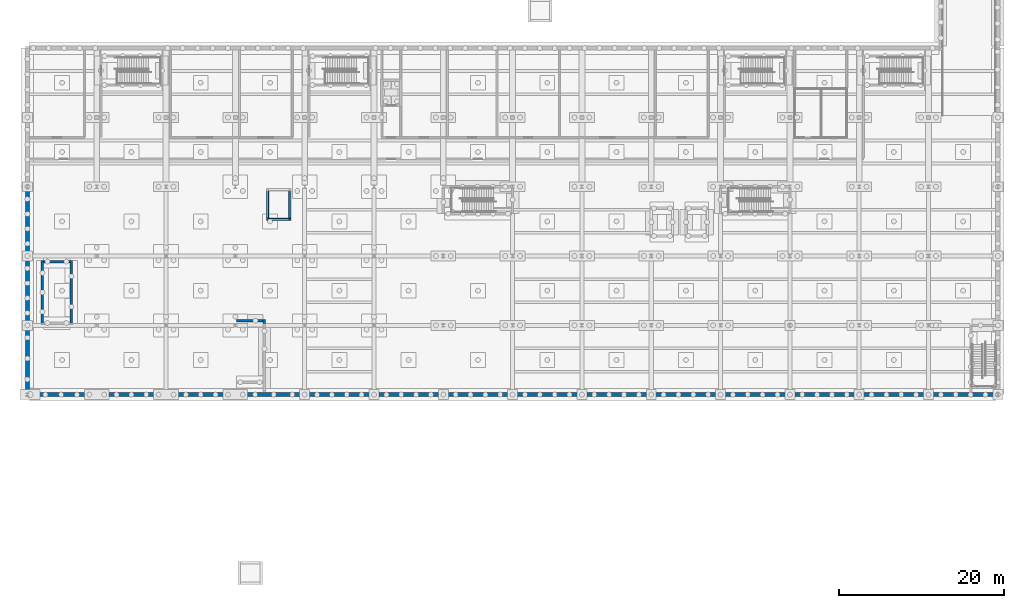
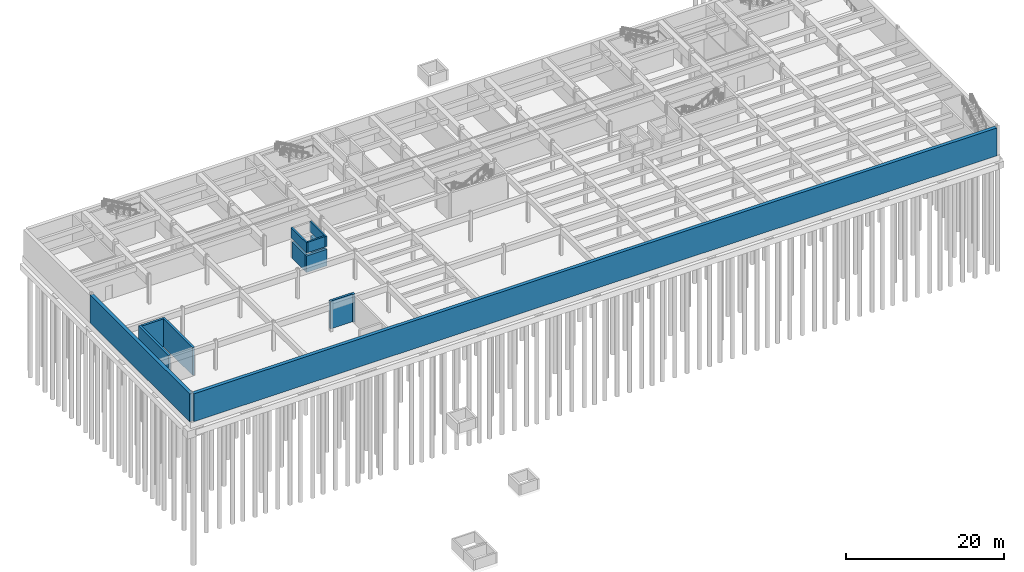
# One storey, part 21 of 33: 13 walls.
"""IFC4 building model written with IfcOpenShell, lengths in metres."""

from ifc_helpers import new_model, si_unit, direction, frame, frame_2d, origin, place, context, subcontext, project, spatial, rectangle, extrude, material, layer, layer_set, type_object, element, save


model = new_model("IFC4")

# Units and contexts
model_context = context("Model", 3, precision=1e-05, world=origin(), true_north=direction((0.0, 1.0)))
body_context = subcontext(model_context, "Body", "Model", "MODEL_VIEW")
ifc_project = project(units=[si_unit("LENGTHUNIT", "METRE"), si_unit("AREAUNIT", "SQUARE_METRE"), si_unit("VOLUMEUNIT", "CUBIC_METRE"), si_unit("PLANEANGLEUNIT", "RADIAN"), si_unit("MASSUNIT", "GRAM", prefix="KILO")], contexts=[model_context])

# Site, building, storey
site_placement = place(None, origin())
site = spatial("IfcSite", under=ifc_project, at=site_placement, CompositionType="ELEMENT")
building_placement = place(site_placement, origin())
building = spatial("IfcBuilding", under=site, at=building_placement, Name="Ljudholm Concert House", CompositionType="ELEMENT")
storey_placement = place(building_placement, frame((0.0, 0.0, -4.60009765625)))
storey = spatial("IfcBuildingStorey", under=building, at=storey_placement, Name="B1", CompositionType="ELEMENT", Elevation=-4.60009765625)

# Walls
ifc_material_1 = material(Name="Concrete 6,500 psi", Category="concrete")
ifc_layer_1 = layer(ifc_material_1, 0.25)
ifc_layer_set_1 = layer_set([ifc_layer_1], Name="Concrete 6,500 psi")
wall_type_1 = type_object("IfcWallType", Name="RC WALL 250", PredefinedType="SOLIDWALL", material=ifc_layer_set_1)
for number, where, z_axis, x_axis, name in (
    (1, (33.074951171875, 125.89990234375, 3.0), (0.0, 0.0, 1.0), (0.0, 1.0, 0.0), "Lift pit wall"),
    (2, (35.824951171875, 125.89990234375, 3.0), (0.0, 0.0, 1.0), (0.0, 1.0, 0.0), "Lift pit wall"),
):
    element("IfcWall", number, at=place(storey_placement, frame(where, z_axis=z_axis, x_axis=x_axis)), inside=storey, type_object=wall_type_1, Name=name, PredefinedType="SOLIDWALL", context=body_context, shape_type="SweptSolid", body=[
        extrude(rectangle(XDim=3.900146484375, YDim=0.25, at=frame_2d((1.9501953125, 0.0))), origin(), (0.0, 0.0, 1.0), 1.60009765625),
    ])
wall_1_placement = place(storey_placement, frame((33.199951171875, 126.02490234375, 3.0), z_axis=(0.0, 0.0, 1.0), x_axis=(1.0, 0.0, 0.0)))
element("IfcWall", 3, at=wall_1_placement, inside=storey, type_object=wall_type_1, Name="Lift pit wall", PredefinedType="SOLIDWALL", context=body_context, shape_type="SweptSolid", body=[
    extrude(rectangle(XDim=2.5, YDim=0.25, at=frame_2d((1.25, 0.0))), origin(), (0.0, 0.0, 1.0), 1.60009765625),
])
ifc_material_2 = material(Name="Concrete 6,500 psi", Category="concrete")
ifc_layer_2 = layer(ifc_material_2, 0.300048828125)
ifc_layer_set_2 = layer_set([ifc_layer_2], Name="Concrete 6,500 psi")
wall_type_2 = type_object("IfcWallType", Name="RC WALL 300", PredefinedType="SOLIDWALL", material=ifc_layer_set_2)
wall_2_placement = place(storey_placement, frame((32.949951171875, 126.050048828125, 0.0), z_axis=(0.0, 0.0, 1.0), x_axis=(1.0, 0.0, 0.0)))
element("IfcWall", 4, at=wall_2_placement, inside=storey, type_object=wall_type_2, Name="Lift pit support wall", PredefinedType="SOLIDWALL", context=body_context, shape_type="SweptSolid", body=[
    extrude(rectangle(XDim=3.0, YDim=0.300048828125, at=frame_2d((1.5, 0.0))), origin(), (0.0, 0.0, 1.0), 2.550048828125),
])
for number, where, z_axis, x_axis, name in (
    (5, (33.10009765625, 126.199951171875, 0.0), (0.0, 0.0, 1.0), (0.0, 1.0, 0.0), "Lift pit support wall"),
    (6, (35.800048828125, 126.199951171875, 0.0), (0.0, 0.0, 1.0), (0.0, 1.0, 0.0), "Lift pit support wall"),
):
    element("IfcWall", number, at=place(storey_placement, frame(where, z_axis=z_axis, x_axis=x_axis)), inside=storey, type_object=wall_type_2, Name=name, PredefinedType="SOLIDWALL", context=body_context, shape_type="SweptSolid", body=[
        extrude(rectangle(XDim=3.300048828125, YDim=0.300048828125, at=frame_2d((1.64990234375, 0.0))), origin(), (0.0, 0.0, 1.0), 2.550048828125),
    ])
wall_3_placement = place(storey_placement, frame((32.72509765625, 113.449951171875, 0.0), z_axis=(0.0, 0.0, 1.0), x_axis=(0.0, 1.0, 0.0)))
element("IfcWall", 7, at=wall_3_placement, inside=storey, type_object=wall_type_2, Name="Shaft support wall", PredefinedType="SOLIDWALL", context=body_context, shape_type="SweptSolid", body=[
    extrude(rectangle(XDim=0.429931640625, YDim=0.300048828125, at=frame_2d((0.21484375, 0.0))), origin(), (0.0, 0.0, 1.0), 4.300048828125),
])
wall_4_placement = place(storey_placement, frame((29.35009765625, 113.7548828125, 0.0), z_axis=(0.0, 0.0, 1.0), x_axis=(1.0, 0.0, 0.0)))
element("IfcWall", 8, at=wall_4_placement, inside=storey, type_object=wall_type_2, Name="Shaft support wall", PredefinedType="SOLIDWALL", context=body_context, shape_type="SweptSolid", body=[
    extrude(rectangle(XDim=3.224853515625, YDim=0.300048828125, at=frame_2d((1.6123046875, 0.0))), origin(), (0.0, 0.0, 1.0), 4.300048828125),
])
wall_5_placement = place(storey_placement, frame((9.324951171875, 113.449951171875, 0.0), z_axis=(0.0, 0.0, 1.0), x_axis=(0.0, 1.0, 0.0)))
element("IfcWall", 9, at=wall_5_placement, inside=storey, type_object=wall_type_2, Name="Shaft support wall", PredefinedType="SOLIDWALL", context=body_context, shape_type="SweptSolid", body=[
    extrude(rectangle(XDim=7.60009765625, YDim=0.300048828125, at=frame_2d((3.800048828125, 0.0))), origin(), (0.0, 0.0, 1.0), 4.300048828125),
])
wall_6_placement = place(storey_placement, frame((5.97509765625, 120.925048828125, 0.0), z_axis=(0.0, 0.0, 1.0), x_axis=(1.0, 0.0, 0.0)))
element("IfcWall", 10, at=wall_6_placement, inside=storey, type_object=wall_type_2, Name="Shaft support wall", PredefinedType="SOLIDWALL", context=body_context, shape_type="SweptSolid", body=[
    extrude(rectangle(XDim=3.199951171875, YDim=0.300048828125, at=frame_2d((1.60009765625, 0.0))), origin(), (0.0, 0.0, 1.0), 4.300048828125),
])
wall_7_placement = place(storey_placement, frame((5.824951171875, 113.449951171875, 0.0), z_axis=(0.0, 0.0, 1.0), x_axis=(0.0, 1.0, 0.0)))
element("IfcWall", 11, at=wall_7_placement, inside=storey, type_object=wall_type_2, Name="Shaft support wall", PredefinedType="SOLIDWALL", context=body_context, shape_type="SweptSolid", body=[
    extrude(rectangle(XDim=7.60009765625, YDim=0.300048828125, at=frame_2d((3.800048828125, 0.0))), origin(), (0.0, 0.0, 1.0), 4.300048828125),
])
ifc_material_3 = material(Name="Concrete 6,500 psi", Category="concrete")
ifc_layer_3 = layer(ifc_material_3, 0.5)
ifc_layer_set_3 = layer_set([ifc_layer_3], Name="Concrete 6,500 psi")
wall_type_3 = type_object("IfcWallType", Name="RC WALL 500", PredefinedType="SOLIDWALL", material=ifc_layer_set_3)
wall_8_placement = place(storey_placement, frame((4.0, 104.800048828125, 0.0), z_axis=(0.0, 0.0, 1.0), x_axis=(0.0, 1.0, 0.0)))
element("IfcWall", 12, at=wall_8_placement, inside=storey, type_object=wall_type_3, Name="Basement wall", PredefinedType="SOLIDWALL", context=body_context, shape_type="SweptSolid", body=[
    extrude(rectangle(XDim=25.199951171875, YDim=0.5, at=frame_2d((12.60009765625, 0.0))), origin(), (0.0, 0.0, 1.0), 4.300048828125),
])
wall_9_placement = place(storey_placement, frame((4.25, 104.800048828125, 0.0), z_axis=(0.0, 0.0, 1.0), x_axis=(1.0, 0.0, 0.0)))
element("IfcWall", 13, at=wall_9_placement, inside=storey, type_object=wall_type_3, Name="Basement wall", PredefinedType="SOLIDWALL", context=body_context, shape_type="SweptSolid", body=[
    extrude(rectangle(XDim=117.10009765625, YDim=0.5, at=frame_2d((58.550048828125, 0.0))), origin(), (0.0, 0.0, 1.0), 4.300048828125),
])

save(model, "model.ifc")
